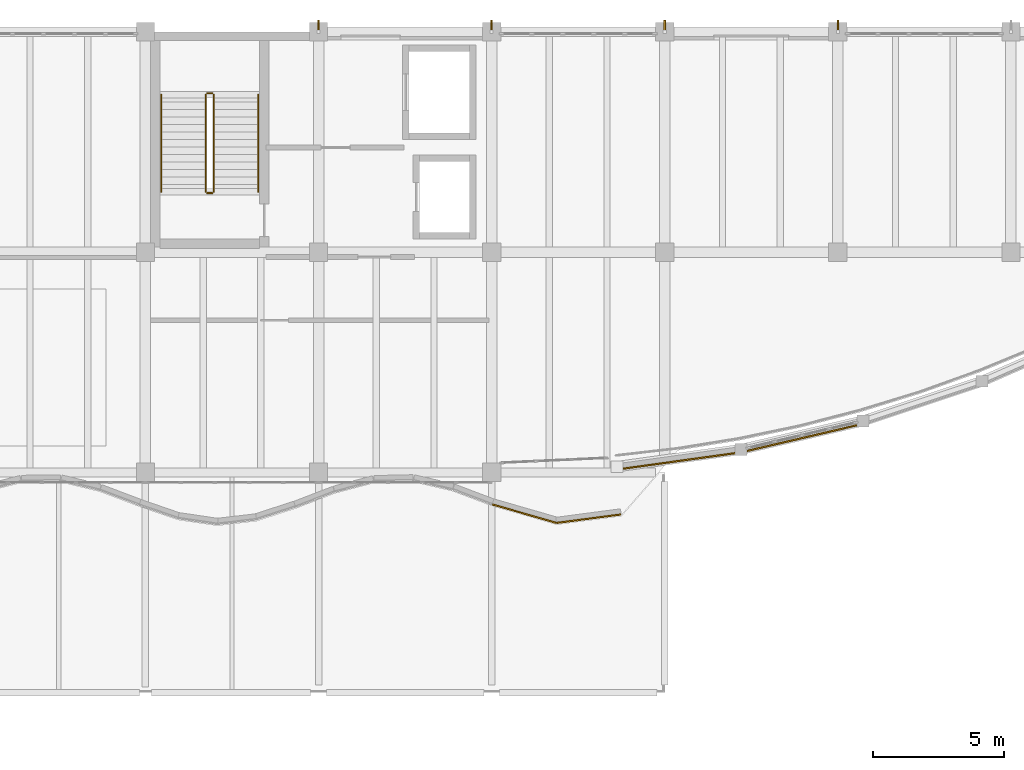
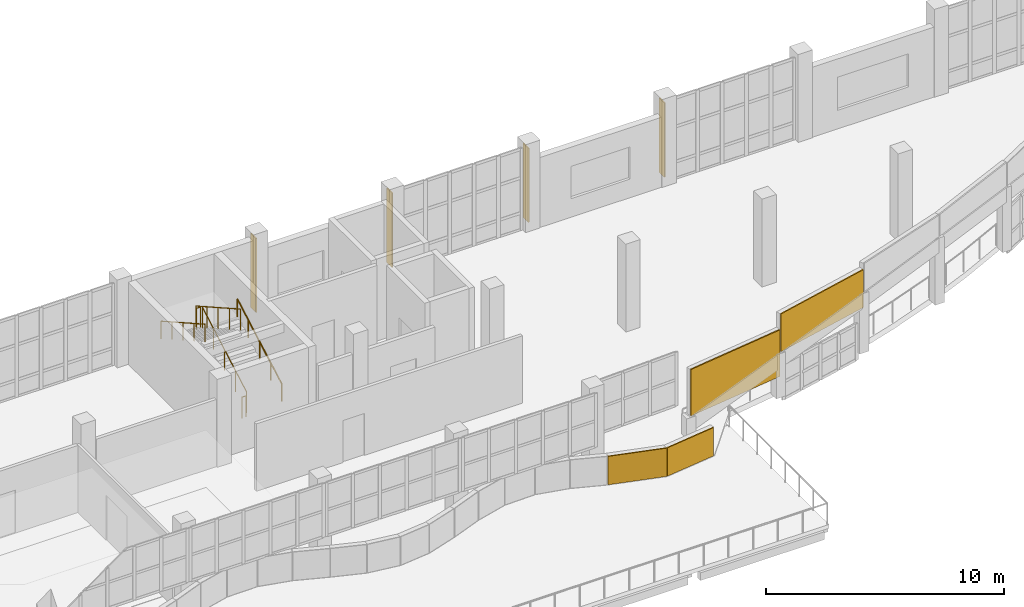
# One storey, part 77 of 83: 6 railings, 4 coverings, 4 shading devices.
"""IFC4 building model written with IfcOpenShell, lengths in metres."""

from ifc_helpers import new_model, si_unit, direction, frame, origin, origin_2d, place, context, subcontext, project, spatial, rectangle, circle, extrude, material, layer, layer_set, type_object, element, save


model = new_model("IFC4")

# Units and contexts
model_context = context("Model", 3, precision=1e-05, world=origin(), true_north=direction((0.0, 1.0)))
body_context = subcontext(model_context, "Body", "Model", "MODEL_VIEW")
ifc_project = project(units=[si_unit("LENGTHUNIT", "METRE"), si_unit("AREAUNIT", "SQUARE_METRE"), si_unit("VOLUMEUNIT", "CUBIC_METRE"), si_unit("PLANEANGLEUNIT", "RADIAN"), si_unit("MASSUNIT", "GRAM", prefix="KILO")], contexts=[model_context])

# Site, building, storey
site_placement = place(None, origin())
site = spatial("IfcSite", under=ifc_project, at=site_placement, CompositionType="ELEMENT")
building_placement = place(site_placement, origin())
building = spatial("IfcBuilding", under=site, at=building_placement, Name="Qaldarim Faculty of Natural and Applied Sciences", CompositionType="ELEMENT")
storey_placement = place(building_placement, frame((0.0, 0.0, 5.39990234375)))
storey = spatial("IfcBuildingStorey", under=building, at=storey_placement, Name="L01", CompositionType="ELEMENT", Elevation=5.39990234375)

# Railings
ifc_material_1 = material(Name="Architectural stainless steel 316", Category="steel")
railing_type_1 = type_object("IfcRailingType", Name="GuardBalustrade-1100", PredefinedType="BALUSTRADE", material=ifc_material_1)
railing_1_placement = place(storey_placement, frame((101.60009765625, 111.5, 0.16015625)))
element("IfcRailing", 1, at=railing_1_placement, inside=storey, type_object=railing_type_1, Name="ST-B1 L01 stair well guard 1", PredefinedType="BALUSTRADE", context=body_context, shape_type="SweptSolid", body=[
    extrude(circle(Radius=0.02392578125, at=origin_2d()), frame((0.0, 0.0, 1.076171875), z_axis=(0.0, 0.870998619023, 0.491285462496), x_axis=(-1.0, 0.0, 0.0)), (0.0, 0.0, 1.0), 4.25390625),
    extrude(circle(Radius=0.02099609375, at=origin_2d()), origin(), (0.0, 0.0, 1.0), 1.052001953125),
    extrude(circle(Radius=0.02099609375, at=origin_2d()), frame((0.0, 0.92626953125, 0.5224609375)), (0.0, 0.0, 1.0), 1.052001953125),
    extrude(circle(Radius=0.02099609375, at=origin_2d()), frame((0.0, 1.8525390625, 1.044921875)), (0.0, 0.0, 1.0), 1.052001953125),
    extrude(circle(Radius=0.02099609375, at=origin_2d()), frame((0.0, 2.77880859375, 1.5673828125)), (0.0, 0.0, 1.0), 1.052001953125),
    extrude(circle(Radius=0.02099609375, at=origin_2d()), frame((0.0, 3.705078125, 2.08984375)), (0.0, 0.0, 1.0), 1.052001953125),
])
railing_2_placement = place(storey_placement, frame((101.550048828125, 115.2548828125, 2.25)))
element("IfcRailing", 2, at=railing_2_placement, inside=storey, type_object=railing_type_1, Name="ST-B1 L01 stair well guard 2", PredefinedType="BALUSTRADE", context=body_context, shape_type="SweptSolid", body=[
    extrude(circle(Radius=0.02392578125, at=origin_2d()), frame((0.0, 0.0, 1.076171875), z_axis=(-1.0, 0.0, 0.0), x_axis=(0.0, -1.0, 0.0)), (0.0, 0.0, 1.0), 0.199951171875),
    extrude(circle(Radius=0.02099609375, at=origin_2d()), origin(), (0.0, 0.0, 1.0), 1.052001953125),
    extrude(circle(Radius=0.02099609375, at=origin_2d()), frame((-0.199951171875, 0.0, 0.0)), (0.0, 0.0, 1.0), 1.052001953125),
])
railing_3_placement = place(storey_placement, frame((101.300048828125, 115.205078125, 2.41015625)))
element("IfcRailing", 3, at=railing_3_placement, inside=storey, type_object=railing_type_1, Name="ST-B1 L01 stair well guard 3", PredefinedType="BALUSTRADE", context=body_context, shape_type="SweptSolid", body=[
    extrude(circle(Radius=0.02392578125, at=origin_2d()), frame((0.0, 0.0, 1.076171875), z_axis=(0.0, -0.870998619023, 0.491285462496), x_axis=(1.0, 0.0, 0.0)), (0.0, 0.0, 1.0), 4.25390625),
    extrude(circle(Radius=0.02099609375, at=origin_2d()), origin(), (0.0, 0.0, 1.0), 1.052001953125),
    extrude(circle(Radius=0.02099609375, at=origin_2d()), frame((0.0, -0.92626953125, 0.5224609375)), (0.0, 0.0, 1.0), 1.052001953125),
    extrude(circle(Radius=0.02099609375, at=origin_2d()), frame((0.0, -1.8525390625, 1.044921875)), (0.0, 0.0, 1.0), 1.052001953125),
    extrude(circle(Radius=0.02099609375, at=origin_2d()), frame((0.0, -2.77880859375, 1.5673828125)), (0.0, 0.0, 1.0), 1.052001953125),
    extrude(circle(Radius=0.02099609375, at=origin_2d()), frame((0.0, -3.705078125, 2.08984375)), (0.0, 0.0, 1.0), 1.052001953125),
])
railing_4_placement = place(storey_placement, frame((101.550048828125, 111.449951171875, 0.0)))
element("IfcRailing", 4, at=railing_4_placement, inside=storey, type_object=railing_type_1, Name="ST-B1 L01 stair well guard 4", PredefinedType="BALUSTRADE", context=body_context, shape_type="SweptSolid", body=[
    extrude(circle(Radius=0.02392578125, at=origin_2d()), frame((0.0, 0.0, 1.076171875), z_axis=(-1.0, 0.0, 0.0), x_axis=(0.0, -1.0, 0.0)), (0.0, 0.0, 1.0), 0.199951171875),
    extrude(circle(Radius=0.02099609375, at=origin_2d()), origin(), (0.0, 0.0, 1.0), 1.052001953125),
    extrude(circle(Radius=0.02099609375, at=origin_2d()), frame((-0.199951171875, 0.0, 0.0)), (0.0, 0.0, 1.0), 1.052001953125),
])

# Coverings
ifc_material_2 = material(Name="White architectural precast concrete C40/50", Category="concrete")
ifc_layer_1 = layer(ifc_material_2, 0.06005859375)
ifc_layer_set_1 = layer_set([ifc_layer_1], Name="White architectural precast concrete C40/50")
covering_type = type_object("IfcCoveringType", Name="LimestoneSpandrelCladding-60", PredefinedType="CLADDING", material=ifc_layer_set_1)
covering_1_placement = place(storey_placement, frame((113.449951171875, 99.22509765625, 0.0), z_axis=(0.0, 0.0, 1.0), x_axis=(0.96086139278, -0.277029572186, 0.0)))
element("IfcCovering", 5, at=covering_1_placement, inside=storey, type_object=covering_type, Name="White limestone wave band fascia L01 chord 54", PredefinedType="CLADDING", context=body_context, shape_type="SweptSolid", body=[
    extrude(rectangle(XDim=2.5400390625, YDim=0.06005859375, at=origin_2d()), origin(), (0.0, 0.0, 1.0), 1.449951171875),
])
covering_2_placement = place(storey_placement, frame((115.905029296875, 99.034912109375, 0.0), z_axis=(0.0, 0.0, 1.0), x_axis=(0.991419783872, 0.130716533562, 0.0)))
element("IfcCovering", 6, at=covering_2_placement, inside=storey, type_object=covering_type, Name="White limestone wave band fascia L01 chord 55", PredefinedType="CLADDING", context=body_context, shape_type="SweptSolid", body=[
    extrude(rectangle(XDim=2.445068359375, YDim=0.06005859375, at=origin_2d()), origin(), (0.0, 0.0, 1.0), 1.449951171875),
])
covering_3_placement = place(storey_placement, frame((119.35498046875, 101.239990234375, 1.02783203125), z_axis=(0.0, 0.0, 1.0), x_axis=(0.990547806375, 0.137167938259, 0.0)))
element("IfcCovering", 7, at=covering_3_placement, inside=storey, type_object=covering_type, Name="Lifted white limestone portal arch fascia 01", PredefinedType="CLADDING", context=body_context, shape_type="SweptSolid", body=[
    extrude(rectangle(XDim=4.735107421875, YDim=0.06005859375, at=origin_2d()), origin(), (0.0, 0.0, 1.0), 2.385009765625),
])
covering_4_placement = place(storey_placement, frame((124.06005859375, 102.114990234375, 2.260009765625), z_axis=(0.0, 0.0, 1.0), x_axis=(0.973662532443, 0.227994019476, 0.0)))
element("IfcCovering", 8, at=covering_4_placement, inside=storey, type_object=covering_type, Name="Lifted white limestone portal arch fascia 02", PredefinedType="CLADDING", context=body_context, shape_type="SweptSolid", body=[
    extrude(rectangle(XDim=4.739990234375, YDim=0.06005859375, at=origin_2d()), origin(), (0.0, 0.0, 1.0), 1.93994140625),
])

# Railings
railing_type_2 = type_object("IfcRailingType", Name="StairHandrail-920", PredefinedType="HANDRAIL", material=ifc_material_1)
railing_5_placement = place(storey_placement, frame((103.300048828125, 111.5, 0.16015625)))
element("IfcRailing", 9, at=railing_5_placement, inside=storey, type_object=railing_type_2, Name="ST-B1 L01 stair handrail 1", PredefinedType="HANDRAIL", context=body_context, shape_type="SweptSolid", body=[
    extrude(circle(Radius=0.02392578125, at=origin_2d()), frame((0.0, 0.0, 0.89599609375), z_axis=(0.0, 0.870998619023, 0.491285462496), x_axis=(-1.0, 0.0, 0.0)), (0.0, 0.0, 1.0), 4.25390625),
    extrude(circle(Radius=0.02099609375, at=origin_2d()), origin(), (0.0, 0.0, 1.0), 0.871826171875),
    extrude(circle(Radius=0.02099609375, at=origin_2d()), frame((0.0, 0.92626953125, 0.5224609375)), (0.0, 0.0, 1.0), 0.871826171875),
    extrude(circle(Radius=0.02099609375, at=origin_2d()), frame((0.0, 1.8525390625, 1.044921875)), (0.0, 0.0, 1.0), 0.871826171875),
    extrude(circle(Radius=0.02099609375, at=origin_2d()), frame((0.0, 2.77880859375, 1.5673828125)), (0.0, 0.0, 1.0), 0.871826171875),
    extrude(circle(Radius=0.02099609375, at=origin_2d()), frame((0.0, 3.705078125, 2.08984375)), (0.0, 0.0, 1.0), 0.871826171875),
])
railing_6_placement = place(storey_placement, frame((99.60009765625, 115.205078125, 2.41015625)))
element("IfcRailing", 10, at=railing_6_placement, inside=storey, type_object=railing_type_2, Name="ST-B1 L01 stair handrail 2", PredefinedType="HANDRAIL", context=body_context, shape_type="SweptSolid", body=[
    extrude(circle(Radius=0.02392578125, at=origin_2d()), frame((0.0, 0.0, 0.89599609375), z_axis=(0.0, -0.870998619023, 0.491285462496), x_axis=(1.0, 0.0, 0.0)), (0.0, 0.0, 1.0), 4.25390625),
    extrude(circle(Radius=0.02099609375, at=origin_2d()), origin(), (0.0, 0.0, 1.0), 0.871826171875),
    extrude(circle(Radius=0.02099609375, at=origin_2d()), frame((0.0, -0.92626953125, 0.5224609375)), (0.0, 0.0, 1.0), 0.871826171875),
    extrude(circle(Radius=0.02099609375, at=origin_2d()), frame((0.0, -1.8525390625, 1.044921875)), (0.0, 0.0, 1.0), 0.871826171875),
    extrude(circle(Radius=0.02099609375, at=origin_2d()), frame((0.0, -2.77880859375, 1.5673828125)), (0.0, 0.0, 1.0), 0.871826171875),
    extrude(circle(Radius=0.02099609375, at=origin_2d()), frame((0.0, -3.705078125, 2.08984375)), (0.0, 0.0, 1.0), 0.871826171875),
])

# Shading devices
ifc_material_3 = material(Name="Champagne anodised aluminium AW-6063", Category="aluminium")
ifc_layer_2 = layer(ifc_material_3, 0.06005859375)
ifc_layer_set_2 = layer_set([ifc_layer_2], Name="Champagne anodised aluminium AW-6063")
shading_device_type = type_object("IfcShadingDeviceType", Name="VerticalSunFin-ALU450x60", PredefinedType="SHUTTER", material=ifc_layer_set_2)
for number, where, z_axis, x_axis, name in (
    (11, (105.60009765625, 117.824951171875, 0.2001953125), (0.0, 0.0, 1.0), (1.0, 0.0, 0.0), "North pier fin FIN-V4N-L01-X17"),
    (12, (112.199951171875, 117.824951171875, 0.2001953125), (0.0, 0.0, 1.0), (1.0, 0.0, 0.0), "North pier fin FIN-V4N-L01-X18"),
    (13, (118.800048828125, 117.824951171875, 0.2001953125), (0.0, 0.0, 1.0), (1.0, 0.0, 0.0), "North pier fin FIN-V4N-L01-X19"),
    (14, (125.39990234375, 117.824951171875, 0.2001953125), (0.0, 0.0, 1.0), (1.0, 0.0, 0.0), "North pier fin FIN-V4N-L01-X20"),
):
    element("IfcShadingDevice", number, at=place(storey_placement, frame(where, z_axis=z_axis, x_axis=x_axis)), inside=storey, type_object=shading_device_type, Name=name, PredefinedType="SHUTTER", context=body_context, shape_type="SweptSolid", body=[
        extrude(rectangle(XDim=0.06005859375, YDim=0.449951171875, at=origin_2d()), origin(), (0.0, 0.0, 1.0), 3.800048828125),
    ])

save(model, "model.ifc")
